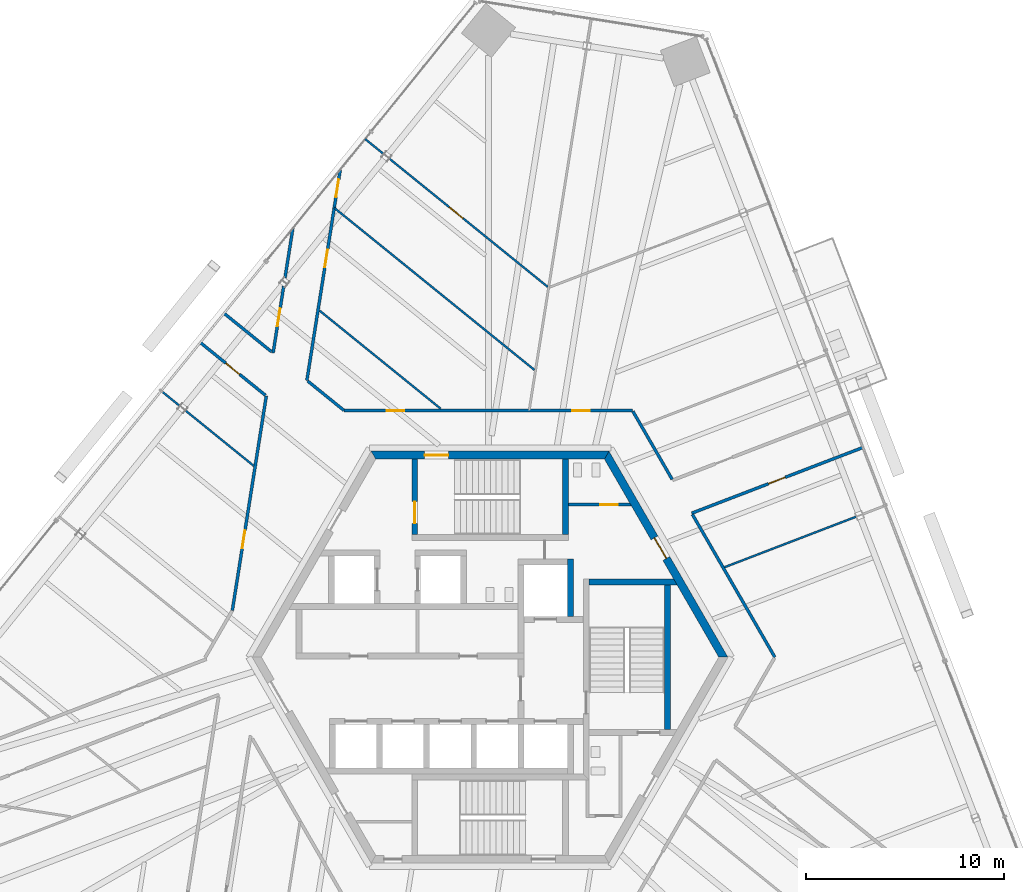
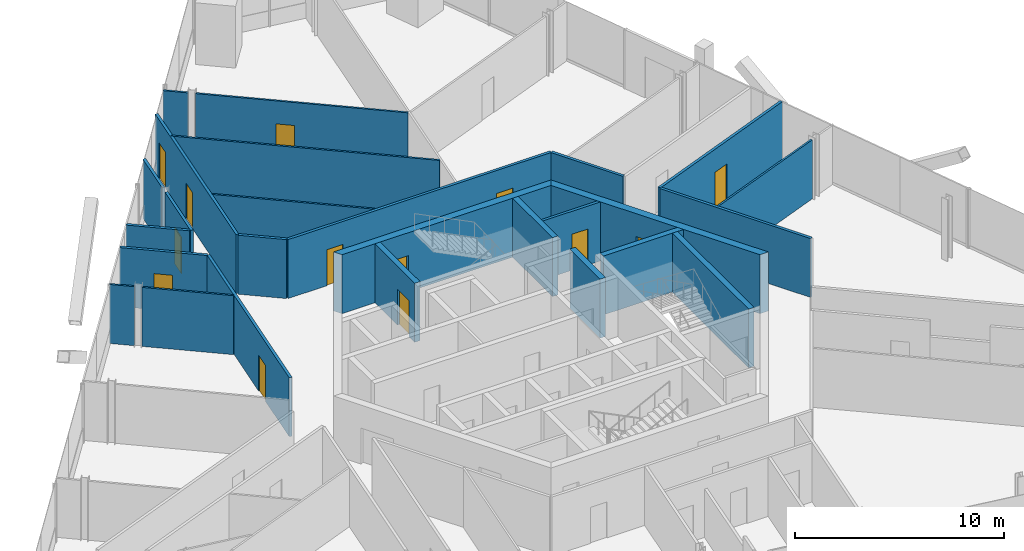
# One storey, part 13 of 18: 26 walls, 13 doors, 13 openings.
"""IFC4 building model written with IfcOpenShell, lengths in metres."""

from ifc_helpers import new_model, si_unit, direction, frame, frame_2d, origin, place, context, subcontext, project, spatial, polyline, rectangle, outline, extrude, source, transform, mapped, material, layer, layer_set, type_object, element, fill, save


model = new_model("IFC4")

# Units and contexts
model_context = context("Model", 3, precision=1e-05, world=origin(), true_north=direction((0.0, 1.0)))
body_context = subcontext(model_context, "Body", "Model", "MODEL_VIEW")
ifc_project = project(units=[si_unit("LENGTHUNIT", "METRE"), si_unit("AREAUNIT", "SQUARE_METRE"), si_unit("VOLUMEUNIT", "CUBIC_METRE"), si_unit("PLANEANGLEUNIT", "RADIAN"), si_unit("MASSUNIT", "GRAM", prefix="KILO")], contexts=[model_context])

# Site, building, storey
site_placement = place(None, origin())
site = spatial("IfcSite", under=ifc_project, at=site_placement, CompositionType="ELEMENT")
building_placement = place(site_placement, origin())
building = spatial("IfcBuilding", under=site, at=building_placement, Name="Triune Harvest Tower", CompositionType="ELEMENT")
storey_placement = place(building_placement, frame((0.0, 0.0, 156.89990234375)))
storey = spatial("IfcBuildingStorey", under=building, at=storey_placement, Name="L40", CompositionType="ELEMENT", Elevation=156.89990234375)

# Walls
ifc_material_1 = material(Name="Gypsum board on steel studs", Category="steel")
ifc_layer_1 = layer(ifc_material_1, 0.14990234375)
ifc_layer_set_1 = layer_set([ifc_layer_1], Name="Gypsum board on steel studs")
wall_type_1 = type_object("IfcWallType", Name="Fire Partition 150 mm", PredefinedType="PARTITIONING", material=ifc_layer_set_1)
wall_1_placement = place(storey_placement, frame((7.20361328125, 12.407470703125, 0.0), z_axis=(0.0, 0.0, 1.0), x_axis=(0.500021028785, -0.866013262469, 0.0)))
element("IfcWall", 1, at=wall_1_placement, inside=storey, type_object=wall_type_1, Name="Partition L40 002", PredefinedType="PARTITIONING", context=body_context, shape_type="SweptSolid", body=[
    extrude(rectangle(XDim=3.963623046875, YDim=0.14990234375, at=frame_2d((1.98193359375, 0.0))), origin(), (0.0, 0.0, 1.0), 3.440185546875),
])
wall_2_placement = place(storey_placement, frame((10.20751953125, 7.205078125, 0.0), z_axis=(0.0, 0.0, 1.0), x_axis=(0.499995954789, -0.866027739276, 0.0)))
element("IfcWall", 2, at=wall_2_placement, inside=storey, type_object=wall_type_1, Name="Partition L40 003", PredefinedType="PARTITIONING", context=body_context, shape_type="SweptSolid", body=[
    extrude(rectangle(XDim=8.3193359375, YDim=0.14990234375, at=frame_2d((4.15966796875, 0.0))), origin(), (0.0, 0.0, 1.0), 3.440185546875),
])

# Wall, opening, door
wall_3_placement = place(storey_placement, frame((-14.6181640625, 15.874755859375, 0.0), z_axis=(0.0, 0.0, 1.0), x_axis=(0.777146809498, -0.629319343805, 0.0)))
wall_3 = element("IfcWall", 3, at=wall_3_placement, inside=storey, type_object=wall_type_1, Name="Partition L40 013", PredefinedType="PARTITIONING", context=body_context, shape_type="SweptSolid", body=[
    extrude(rectangle(XDim=4.23291015625, YDim=0.14990234375, at=frame_2d((2.116455078125, 0.0))), origin(), (0.0, 0.0, 1.0), 3.440185546875),
])
opening_1_placement = place(wall_3_placement, frame((1.650146484375, 0.0, 0.0)))
opening_1 = element("IfcOpeningElement", 4, at=opening_1_placement, cuts=wall_3, Name="Opening L40-010", PredefinedType="OPENING", context=body_context, shape_type="SweptSolid", body=[
    extrude(rectangle(XDim=0.89990234375, YDim=2.10009765625, at=frame_2d((0.449951171875, 1.050048828125))), frame((0.0, 0.0849609375, 0.0), z_axis=(0.0, -1.0, 0.0), x_axis=(1.0, 0.0, 0.0)), (0.0, 0.0, 1.0), 0.169921875),
])
ifc_material_2 = material(Name="Timber and steel door set", Category="steel")
door_type_1 = type_object("IfcDoorType", Name="Single leaf door FD30 right hand 900 x 2100", OperationType="SINGLE_SWING_RIGHT", PredefinedType="DOOR", material=ifc_material_2)
door_1_placement = place(opening_1_placement, origin())
door_1 = element("IfcDoor", 5, at=door_1_placement, inside=storey, type_object=door_type_1, Name="Door L40-010 Meeting Room 40.10", OperationType="SINGLE_SWING_RIGHT", OverallHeight=2.10009765625, OverallWidth=0.89990234375, PredefinedType="DOOR", context=body_context, shape_type="SweptSolid", body=[
    extrude(rectangle(XDim=0.89990234375, YDim=2.10009765625, at=frame_2d((0.449951171875, 1.050048828125))), frame((0.0, 0.02490234375, 0.0), z_axis=(0.0, -1.0, 0.0), x_axis=(1.0, 0.0, 0.0)), (0.0, 0.0, 1.0), 0.050048828125),
])
fill(opening_1, door_1)

# Walls
wall_4_placement = place(storey_placement, frame((-13.422607421875, 17.351318359375, 0.0), z_axis=(0.0, 0.0, 1.0), x_axis=(0.777130257841, -0.629339782905, 0.0)))
element("IfcWall", 6, at=wall_4_placement, inside=storey, type_object=wall_type_1, Name="Partition L40 015", PredefinedType="PARTITIONING", context=body_context, shape_type="SweptSolid", body=[
    extrude(rectangle(XDim=3.075927734375, YDim=0.14990234375, at=frame_2d((1.5380859375, 0.0))), origin(), (0.0, 0.0, 1.0), 3.440185546875),
])
wall_5_placement = place(storey_placement, frame((-9.20263671875, 13.93408203125, 0.0), z_axis=(0.0, 0.0, 1.0), x_axis=(0.777138202627, -0.629329972286, 0.0)))
element("IfcWall", 7, at=wall_5_placement, inside=storey, type_object=wall_type_1, Name="Partition L40 016", PredefinedType="PARTITIONING", context=body_context, shape_type="SweptSolid", body=[
    extrude(rectangle(XDim=2.345458984375, YDim=0.14990234375, at=frame_2d((1.1728515625, 0.0))), origin(), (0.0, 0.0, 1.0), 3.440185546875),
])

# Wall, openings, doors
wall_6_placement = place(storey_placement, frame((-7.3603515625, 12.4423828125, 0.0), z_axis=(0.0, 0.0, 1.0), x_axis=(1.0, 0.0, 0.0)))
wall_6 = element("IfcWall", 8, at=wall_6_placement, inside=storey, type_object=wall_type_1, Name="Partition L40 026", PredefinedType="PARTITIONING", context=body_context, shape_type="SweptSolid", body=[
    extrude(rectangle(XDim=14.5439453125, YDim=0.14990234375, at=frame_2d((7.27197265625, 0.0))), origin(), (0.0, 0.0, 1.0), 3.440185546875),
])
opening_2_placement = place(wall_6_placement, frame((11.493896484375, 0.0, 0.0)))
opening_2 = element("IfcOpeningElement", 9, at=opening_2_placement, cuts=wall_6, Name="Opening L40-005", PredefinedType="OPENING", context=body_context, shape_type="SweptSolid", body=[
    extrude(rectangle(XDim=0.89990234375, YDim=2.10009765625, at=frame_2d((0.449951171875, 1.050048828125))), frame((0.0, 0.0849609375, 0.0), z_axis=(0.0, -1.0, 0.0), x_axis=(1.0, 0.0, 0.0)), (0.0, 0.0, 1.0), 0.169921875),
])
opening_3_placement = place(wall_6_placement, frame((2.135498046875, 0.0, 0.0)))
opening_3 = element("IfcOpeningElement", 10, at=opening_3_placement, cuts=wall_6, Name="Opening L40-012", PredefinedType="OPENING", context=body_context, shape_type="SweptSolid", body=[
    extrude(rectangle(XDim=0.89990234375, YDim=2.10009765625, at=frame_2d((0.449951171875, 1.050048828125))), frame((0.0, 0.0849609375, 0.0), z_axis=(0.0, -1.0, 0.0), x_axis=(1.0, 0.0, 0.0)), (0.0, 0.0, 1.0), 0.169921875),
])
ifc_material_3 = material(Name="Timber and steel door set", Category="steel")
door_type_2 = type_object("IfcDoorType", Name="Single leaf door FD30 left hand 900 x 2100", OperationType="SINGLE_SWING_LEFT", PredefinedType="DOOR", material=ifc_material_3)
door_2_placement = place(opening_3_placement, origin())
door_2 = element("IfcDoor", 11, at=door_2_placement, inside=storey, type_object=door_type_2, Name="Door L40-012 Office 40.12", OperationType="SINGLE_SWING_LEFT", OverallHeight=2.10009765625, OverallWidth=0.89990234375, PredefinedType="DOOR", context=body_context, shape_type="SweptSolid", body=[
    extrude(rectangle(XDim=0.89990234375, YDim=2.10009765625, at=frame_2d((0.449951171875, 1.050048828125))), frame((0.0, 0.02490234375, 0.0), z_axis=(0.0, -1.0, 0.0), x_axis=(1.0, 0.0, 0.0)), (0.0, 0.0, 1.0), 0.050048828125),
])
fill(opening_3, door_2)
door_3_placement = place(opening_2_placement, origin())
door_3 = element("IfcDoor", 12, at=door_3_placement, inside=storey, type_object=door_type_1, Name="Door L40-005 Open Office 40.05", OperationType="SINGLE_SWING_RIGHT", OverallHeight=2.10009765625, OverallWidth=0.89990234375, PredefinedType="DOOR", context=body_context, shape_type="SweptSolid", body=[
    extrude(rectangle(XDim=0.89990234375, YDim=2.10009765625, at=frame_2d((0.449951171875, 1.050048828125))), frame((0.0, 0.02490234375, 0.0), z_axis=(0.0, -1.0, 0.0), x_axis=(1.0, 0.0, 0.0)), (0.0, 0.0, 1.0), 0.050048828125),
])
fill(opening_2, door_3)

# Wall, opening, door
wall_7_placement = place(storey_placement, frame((10.17236328125, 7.265625, 0.0), z_axis=(0.0, 0.0, 1.0), x_axis=(0.933580767762, 0.358367060519, 0.0)))
wall_7 = element("IfcWall", 13, at=wall_7_placement, inside=storey, type_object=wall_type_1, Name="Partition L40 032", PredefinedType="PARTITIONING", context=body_context, shape_type="SweptSolid", body=[
    extrude(rectangle(XDim=9.250244140625, YDim=0.14990234375, at=frame_2d((4.625, 0.0))), origin(), (0.0, 0.0, 1.0), 3.440185546875),
])
opening_4_placement = place(wall_7_placement, frame((4.14990234375, 0.0, 0.0)))
opening_4 = element("IfcOpeningElement", 14, at=opening_4_placement, cuts=wall_7, Name="Opening L40-004", PredefinedType="OPENING", context=body_context, shape_type="SweptSolid", body=[
    extrude(rectangle(XDim=0.89990234375, YDim=2.10009765625, at=frame_2d((0.449951171875, 1.050048828125))), frame((0.0, 0.0849609375, 0.0), z_axis=(0.0, -1.0, 0.0), x_axis=(1.0, 0.0, 0.0)), (0.0, 0.0, 1.0), 0.169921875),
])
door_4_placement = place(opening_4_placement, origin())
door_4 = element("IfcDoor", 15, at=door_4_placement, inside=storey, type_object=door_type_1, Name="Door L40-004 Office 40.04", OperationType="SINGLE_SWING_RIGHT", OverallHeight=2.10009765625, OverallWidth=0.89990234375, PredefinedType="DOOR", context=body_context, shape_type="SweptSolid", body=[
    extrude(rectangle(XDim=0.89990234375, YDim=2.10009765625, at=frame_2d((0.449951171875, 1.050048828125))), frame((0.0, 0.02490234375, 0.0), z_axis=(0.0, -1.0, 0.0), x_axis=(1.0, 0.0, 0.0)), (0.0, 0.0, 1.0), 0.050048828125),
])
fill(opening_4, door_4)

# Wall, openings, doors
wall_8_placement = place(storey_placement, frame((-9.24169921875, 13.9658203125, 0.0), z_axis=(0.0, 0.0, 1.0), x_axis=(0.156437981447, 0.987687783645, 0.0)))
wall_8 = element("IfcWall", 16, at=wall_8_placement, inside=storey, type_object=wall_type_1, Name="Partition L40 053", PredefinedType="PARTITIONING", context=body_context, shape_type="SweptSolid", body=[
    extrude(rectangle(XDim=10.759033203125, YDim=0.14990234375, at=frame_2d((5.37939453125, 0.0))), origin(), (0.0, 0.0, 1.0), 3.440185546875),
])
opening_5_placement = place(wall_8_placement, frame((5.772705078125, 0.0, 0.0)))
opening_5 = element("IfcOpeningElement", 17, at=opening_5_placement, cuts=wall_8, Name="Opening L40-008", PredefinedType="OPENING", context=body_context, shape_type="SweptSolid", body=[
    extrude(rectangle(XDim=0.89990234375, YDim=2.10009765625, at=frame_2d((0.449951171875, 1.050048828125))), frame((0.0, 0.0849609375, 0.0), z_axis=(0.0, -1.0, 0.0), x_axis=(1.0, 0.0, 0.0)), (0.0, 0.0, 1.0), 0.169921875),
])
opening_6_placement = place(wall_8_placement, frame((9.36474609375, 0.0, 0.0)))
opening_6 = element("IfcOpeningElement", 18, at=opening_6_placement, cuts=wall_8, Name="Opening L40-009", PredefinedType="OPENING", context=body_context, shape_type="SweptSolid", body=[
    extrude(rectangle(XDim=0.89990234375, YDim=2.10009765625, at=frame_2d((0.449951171875, 1.050048828125))), frame((0.0, 0.0849609375, 0.0), z_axis=(0.0, -1.0, 0.0), x_axis=(1.0, 0.0, 0.0)), (0.0, 0.0, 1.0), 0.169921875),
])
door_5_placement = place(opening_5_placement, origin())
door_5 = element("IfcDoor", 19, at=door_5_placement, inside=storey, type_object=door_type_2, Name="Door L40-008 Project Room 40.08", OperationType="SINGLE_SWING_LEFT", OverallHeight=2.10009765625, OverallWidth=0.89990234375, PredefinedType="DOOR", context=body_context, shape_type="SweptSolid", body=[
    extrude(rectangle(XDim=0.89990234375, YDim=2.10009765625, at=frame_2d((0.449951171875, 1.050048828125))), frame((0.0, 0.02490234375, 0.0), z_axis=(0.0, -1.0, 0.0), x_axis=(1.0, 0.0, 0.0)), (0.0, 0.0, 1.0), 0.050048828125),
])
fill(opening_5, door_5)
door_6_placement = place(opening_6_placement, origin())
door_6 = element("IfcDoor", 20, at=door_6_placement, inside=storey, type_object=door_type_2, Name="Door L40-009 Phone room 40.09", OperationType="SINGLE_SWING_LEFT", OverallHeight=2.10009765625, OverallWidth=0.89990234375, PredefinedType="DOOR", context=body_context, shape_type="SweptSolid", body=[
    extrude(rectangle(XDim=0.89990234375, YDim=2.10009765625, at=frame_2d((0.449951171875, 1.050048828125))), frame((0.0, 0.02490234375, 0.0), z_axis=(0.0, -1.0, 0.0), x_axis=(1.0, 0.0, 0.0)), (0.0, 0.0, 1.0), 0.050048828125),
])
fill(opening_6, door_6)

# Wall, opening, door
wall_9_placement = place(storey_placement, frame((-13.0029296875, 2.36279296875, 0.0), z_axis=(0.0, 0.0, 1.0), x_axis=(0.156429623445, 0.987689107416, 0.0)))
wall_9 = element("IfcWall", 21, at=wall_9_placement, inside=storey, type_object=wall_type_1, Name="Partition L40 055", PredefinedType="PARTITIONING", context=body_context, shape_type="SweptSolid", body=[
    extrude(rectangle(XDim=10.951416015625, YDim=0.14990234375, at=frame_2d((5.4755859375, 0.0))), origin(), (0.0, 0.0, 1.0), 3.440185546875),
])
opening_7_placement = place(wall_9_placement, frame((3.178466796875, 0.0, 0.0)))
opening_7 = element("IfcOpeningElement", 22, at=opening_7_placement, cuts=wall_9, Name="Opening L40-013", PredefinedType="OPENING", context=body_context, shape_type="SweptSolid", body=[
    extrude(rectangle(XDim=0.89990234375, YDim=2.10009765625, at=frame_2d((0.449951171875, 1.050048828125))), frame((0.0, 0.0849609375, 0.0), z_axis=(0.0, -1.0, 0.0), x_axis=(1.0, 0.0, 0.0)), (0.0, 0.0, 1.0), 0.169921875),
])
door_7_placement = place(opening_7_placement, origin())
door_7 = element("IfcDoor", 23, at=door_7_placement, inside=storey, type_object=door_type_2, Name="Door L40-013 Open Office 40.13", OperationType="SINGLE_SWING_LEFT", OverallHeight=2.10009765625, OverallWidth=0.89990234375, PredefinedType="DOOR", context=body_context, shape_type="SweptSolid", body=[
    extrude(rectangle(XDim=0.89990234375, YDim=2.10009765625, at=frame_2d((0.449951171875, 1.050048828125))), frame((0.0, 0.02490234375, 0.0), z_axis=(0.0, -1.0, 0.0), x_axis=(1.0, 0.0, 0.0)), (0.0, 0.0, 1.0), 0.050048828125),
])
fill(opening_7, door_7)

wall_10_placement = place(storey_placement, frame((-10.946533203125, 15.34619140625, 0.0), z_axis=(0.0, 0.0, 1.0), x_axis=(0.156450237182, 0.987685842404, 0.0)))
wall_10 = element("IfcWall", 24, at=wall_10_placement, inside=storey, type_object=wall_type_1, Name="Partition L40 056", PredefinedType="PARTITIONING", context=body_context, shape_type="SweptSolid", body=[
    extrude(rectangle(XDim=3.4189453125, YDim=0.14990234375, at=frame_2d((1.70947265625, 0.0))), origin(), (0.0, 0.0, 1.0), 3.440185546875),
])
opening_8_placement = place(wall_10_placement, frame((1.373046875, 0.0, 0.0)))
opening_8 = element("IfcOpeningElement", 25, at=opening_8_placement, cuts=wall_10, Name="Opening L40-011", PredefinedType="OPENING", context=body_context, shape_type="SweptSolid", body=[
    extrude(rectangle(XDim=0.89990234375, YDim=2.10009765625, at=frame_2d((0.449951171875, 1.050048828125))), frame((0.0, 0.0849609375, 0.0), z_axis=(0.0, -1.0, 0.0), x_axis=(1.0, 0.0, 0.0)), (0.0, 0.0, 1.0), 0.169921875),
])
door_8_placement = place(opening_8_placement, origin())
door_8 = element("IfcDoor", 26, at=door_8_placement, inside=storey, type_object=door_type_1, Name="Door L40-011 Office 40.11", OperationType="SINGLE_SWING_RIGHT", OverallHeight=2.10009765625, OverallWidth=0.89990234375, PredefinedType="DOOR", context=body_context, shape_type="SweptSolid", body=[
    extrude(rectangle(XDim=0.89990234375, YDim=2.10009765625, at=frame_2d((0.449951171875, 1.050048828125))), frame((0.0, 0.02490234375, 0.0), z_axis=(0.0, -1.0, 0.0), x_axis=(1.0, 0.0, 0.0)), (0.0, 0.0, 1.0), 0.050048828125),
])
fill(opening_8, door_8)

# Walls
wall_11_placement = place(storey_placement, frame((-10.347900390625, 19.126220703125, 0.0), z_axis=(0.0, 0.0, 1.0), x_axis=(0.156489741749, 0.987679584039, 0.0)))
element("IfcWall", 27, at=wall_11_placement, inside=storey, type_object=wall_type_1, Name="Partition L40 057", PredefinedType="PARTITIONING", context=body_context, shape_type="SweptSolid", body=[
    extrude(rectangle(XDim=2.54443359375, YDim=0.14990234375, at=frame_2d((1.272216796875, 0.0))), origin(), (0.0, 0.0, 1.0), 3.440185546875),
])
ifc_material_4 = material(Name="Gypsum board on steel studs", Category="steel")
ifc_layer_2 = layer(ifc_material_4, 0.10009765625)
ifc_layer_set_2 = layer_set([ifc_layer_2], Name="Gypsum board on steel studs")
wall_type_2 = type_object("IfcWallType", Name="Partition 100 mm", PredefinedType="PARTITIONING", material=ifc_layer_set_2)
wall_12_placement = place(storey_placement, frame((-15.3759765625, 12.451171875, 0.0), z_axis=(0.0, 0.0, 1.0), x_axis=(0.777130859539, -0.629339039907, 0.0)))
element("IfcWall", 28, at=wall_12_placement, inside=storey, type_object=wall_type_2, Name="Partition L40 010", PredefinedType="PARTITIONING", context=body_context, shape_type="SweptSolid", body=[
    extrude(rectangle(XDim=4.438720703125, YDim=0.10009765625, at=frame_2d((2.21923828125, 0.0))), origin(), (0.0, 0.0, 1.0), 3.440185546875),
])
wall_13_placement = place(storey_placement, frame((-8.60498046875, 17.4873046875, 0.0), z_axis=(0.0, 0.0, 1.0), x_axis=(0.777142955765, -0.629324102752, 0.0)))
element("IfcWall", 29, at=wall_13_placement, inside=storey, type_object=wall_type_2, Name="Partition L40 018", PredefinedType="PARTITIONING", context=body_context, shape_type="SweptSolid", body=[
    extrude(rectangle(XDim=7.86669921875, YDim=0.10009765625, at=frame_2d((3.933349609375, 0.0))), origin(), (0.0, 0.0, 1.0), 3.440185546875),
])
wall_14_placement = place(storey_placement, frame((-7.862548828125, 22.671875, 0.0), z_axis=(0.0, 0.0, 1.0), x_axis=(0.777146402991, -0.6293198458, 0.0)))
element("IfcWall", 30, at=wall_14_placement, inside=storey, type_object=wall_type_2, Name="Partition L40 019", PredefinedType="PARTITIONING", context=body_context, shape_type="SweptSolid", body=[
    extrude(rectangle(XDim=12.99267578125, YDim=0.10009765625, at=frame_2d((6.496337890625, 0.0))), origin(), (0.0, 0.0, 1.0), 3.440185546875),
])
wall_15_placement = place(storey_placement, frame((11.816650390625, 4.535888671875, 0.0), z_axis=(0.0, 0.0, 1.0), x_axis=(0.933575821264, 0.358379946356, 0.0)))
element("IfcWall", 31, at=wall_15_placement, inside=storey, type_object=wall_type_2, Name="Partition L40 029", PredefinedType="PARTITIONING", context=body_context, shape_type="SweptSolid", body=[
    extrude(rectangle(XDim=7.127685546875, YDim=0.10009765625, at=frame_2d((3.56396484375, 0.0))), origin(), (0.0, 0.0, 1.0), 3.440185546875),
])

# Wall, opening, door
ifc_material_5 = material(Name="Concrete 70 MPa", Category="concrete")
ifc_layer_3 = layer(ifc_material_5, 0.39990234375)
ifc_layer_set_3 = layer_set([ifc_layer_3], Name="Concrete 70 MPa")
wall_type_3 = type_object("IfcWallType", Name="Core wall 400", PredefinedType="SHEAR", material=ifc_layer_set_3)
shared_shape_1 = source(origin(), body_context, "Body", "SweptSolid", [
    extrude(outline(polyline([(-0.115478515625, -0.199951171875), (11.884521484375, -0.199951171875), (11.653564453125, 0.199951171875), (0.115478515625, 0.199951171875), (-0.115478515625, -0.199951171875)])), origin(), (0.0, 0.0, 1.0), 3.440185546875),
])
wall_16_placement = place(storey_placement, frame((11.76904296875, 0.0, 0.0), z_axis=(0.0, 0.0, 1.0), x_axis=(-0.499996592174, 0.866027371285, 0.0)))
wall_16 = element("IfcWall", 32, at=wall_16_placement, inside=storey, type_object=wall_type_3, Name="Hexagon 0 wall", PredefinedType="SHEAR", context=body_context, shape_type="MappedRepresentation", body=[
    mapped(shared_shape_1, transform((0.0, 0.0, 0.0), scale=1.0)),
])
opening_9_placement = place(wall_16_placement, frame((5.75048828125, 0.0, 0.0)))
opening_9 = element("IfcOpeningElement", 33, at=opening_9_placement, cuts=wall_16, Name="Opening CD-WCP", PredefinedType="OPENING", context=body_context, shape_type="SweptSolid", body=[
    extrude(rectangle(XDim=1.199951171875, YDim=2.10009765625, at=frame_2d((0.60009765625, 1.050048828125))), frame((0.0, 0.2099609375, 0.0), z_axis=(0.0, -1.0, 0.0), x_axis=(1.0, 0.0, 0.0)), (0.0, 0.0, 1.0), 0.419921875),
])
ifc_material_6 = material(Name="Steel S235", Category="steel")
door_type_3 = type_object("IfcDoorType", Name="Lobby door 1200 FD120", OperationType="SINGLE_SWING_LEFT", PredefinedType="DOOR", material=ifc_material_6)
door_9_placement = place(opening_9_placement, frame((1.199951171875, 0.0, 0.0), z_axis=(0.0, 0.0, 1.0), x_axis=(-1.0, 0.0, 0.0)))
door_9 = element("IfcDoor", 34, at=door_9_placement, inside=storey, type_object=door_type_3, Name="Door CD-WCP", OperationType="SINGLE_SWING_RIGHT", OverallHeight=2.10009765625, OverallWidth=1.199951171875, PredefinedType="DOOR", context=body_context, shape_type="SweptSolid", body=[
    extrude(rectangle(XDim=1.199951171875, YDim=2.10009765625, at=frame_2d((0.60009765625, 1.050048828125))), frame((0.0, 0.02490234375, 0.0), z_axis=(0.0, -1.0, 0.0), x_axis=(1.0, 0.0, 0.0)), (0.0, 0.0, 1.0), 0.050048828125),
])
fill(opening_9, door_9)

wall_17_placement = place(storey_placement, frame((5.884521484375, 10.1923828125, 0.0), z_axis=(0.0, 0.0, 1.0), x_axis=(-1.0, 0.0, 0.0)))
wall_17 = element("IfcWall", 35, at=wall_17_placement, inside=storey, type_object=wall_type_3, Name="Hexagon 1 wall", PredefinedType="SHEAR", context=body_context, shape_type="MappedRepresentation", body=[
    mapped(shared_shape_1, transform((0.0, 0.0, 0.0), scale=1.0)),
])
opening_10_placement = place(wall_17_placement, frame((7.984619140625, 0.0, 0.0)))
opening_10 = element("IfcOpeningElement", 36, at=opening_10_placement, cuts=wall_17, Name="Opening CD-S1P", PredefinedType="OPENING", context=body_context, shape_type="SweptSolid", body=[
    extrude(rectangle(XDim=1.199951171875, YDim=2.10009765625, at=frame_2d((0.60009765625, 1.050048828125))), frame((0.0, 0.2099609375, 0.0), z_axis=(0.0, -1.0, 0.0), x_axis=(1.0, 0.0, 0.0)), (0.0, 0.0, 1.0), 0.419921875),
])
ifc_material_7 = material(Name="Steel S235", Category="steel")
door_type_4 = type_object("IfcDoorType", Name="Stair door 1200 FD120", OperationType="SINGLE_SWING_LEFT", PredefinedType="DOOR", material=ifc_material_7)
door_10_placement = place(opening_10_placement, frame((1.199951171875, 0.0, 0.0), z_axis=(0.0, 0.0, 1.0), x_axis=(-1.0, 0.0, 0.0)))
door_10 = element("IfcDoor", 37, at=door_10_placement, inside=storey, type_object=door_type_4, Name="Door CD-S1P", OperationType="SINGLE_SWING_RIGHT", OverallHeight=2.10009765625, OverallWidth=1.199951171875, PredefinedType="DOOR", context=body_context, shape_type="SweptSolid", body=[
    extrude(rectangle(XDim=1.199951171875, YDim=2.10009765625, at=frame_2d((0.60009765625, 1.050048828125))), frame((0.0, 0.02490234375, 0.0), z_axis=(0.0, -1.0, 0.0), x_axis=(1.0, 0.0, 0.0)), (0.0, 0.0, 1.0), 0.050048828125),
])
fill(opening_10, door_10)

# Walls
ifc_material_8 = material(Name="Concrete 70 MPa", Category="concrete")
ifc_layer_4 = layer(ifc_material_8, 0.300048828125)
ifc_layer_set_4 = layer_set([ifc_layer_4], Name="Concrete 70 MPa")
wall_type_4 = type_object("IfcWallType", Name="Core wall 300", PredefinedType="SHEAR", material=ifc_layer_set_4)
shared_shape_2 = source(origin(), body_context, "Body", "SweptSolid", [
    extrude(rectangle(XDim=2.89990234375, YDim=0.300048828125, at=frame_2d((1.449951171875, 0.0))), origin(), (0.0, 0.0, 1.0), 3.440185546875),
])
wall_18_placement = place(storey_placement, frame((4.050048828125, 2.06005859375, 0.0), z_axis=(0.0, 0.0, 1.0), x_axis=(0.0, 1.0, 0.0)))
element("IfcWall", 38, at=wall_18_placement, inside=storey, type_object=wall_type_4, Name="Ff1 east wall", PredefinedType="SHEAR", context=body_context, shape_type="MappedRepresentation", body=[
    mapped(shared_shape_2, transform((0.0, 0.0, 0.0), scale=1.0)),
])
shared_shape_3 = source(origin(), body_context, "Body", "SweptSolid", [
    extrude(outline(polyline([(0.0, -0.14990234375), (0.0, 0.14990234375), (4.260009765625, 0.14990234375), (4.43310546875, -0.14990234375), (0.0, -0.14990234375)])), origin(), (0.0, 0.0, 1.0), 3.440185546875),
])
wall_19_placement = place(storey_placement, frame((5.0, 3.800048828125, 0.0), z_axis=(0.0, 0.0, 1.0), x_axis=(1.0, 0.0, 0.0)))
element("IfcWall", 39, at=wall_19_placement, inside=storey, type_object=wall_type_4, Name="Stair e north wall", PredefinedType="SHEAR", context=body_context, shape_type="MappedRepresentation", body=[
    mapped(shared_shape_3, transform((0.0, 0.0, 0.0), scale=1.0)),
])
shared_shape_4 = source(origin(), body_context, "Body", "SweptSolid", [
    extrude(rectangle(XDim=7.2998046875, YDim=0.300048828125, at=frame_2d((3.64990234375, 0.0))), origin(), (0.0, 0.0, 1.0), 3.440185546875),
])
wall_20_placement = place(storey_placement, frame((8.949951171875, -3.64990234375, 0.0), z_axis=(0.0, 0.0, 1.0), x_axis=(0.0, 1.0, 0.0)))
element("IfcWall", 40, at=wall_20_placement, inside=storey, type_object=wall_type_4, Name="Stair e east wall", PredefinedType="SHEAR", context=body_context, shape_type="MappedRepresentation", body=[
    mapped(shared_shape_4, transform((0.0, 0.0, 0.0), scale=1.0)),
])

# Wall, opening, door
shared_shape_5 = source(origin(), body_context, "Body", "SweptSolid", [
    extrude(outline(polyline([(0.0, -0.14990234375), (0.0, 0.14990234375), (3.80419921875, 0.14990234375), (3.80419921875, -0.14990234375), (0.0, -0.14990234375)])), origin(), (0.0, 0.0, 1.0), 3.440185546875),
])
wall_21_placement = place(storey_placement, frame((-3.800048828125, 6.18994140625, 0.0), z_axis=(0.0, 0.0, 1.0), x_axis=(0.0, 1.0, 0.0)))
wall_21 = element("IfcWall", 41, at=wall_21_placement, inside=storey, type_object=wall_type_4, Name="Stair n west wall", PredefinedType="SHEAR", context=body_context, shape_type="MappedRepresentation", body=[
    mapped(shared_shape_5, transform((0.0, 0.0, 0.0), scale=1.0)),
])
opening_11_placement = place(wall_21_placement, frame((0.56005859375, 0.0, 0.0)))
opening_11 = element("IfcOpeningElement", 42, at=opening_11_placement, cuts=wall_21, Name="Opening CD-S1L", PredefinedType="OPENING", context=body_context, shape_type="SweptSolid", body=[
    extrude(rectangle(XDim=1.10009765625, YDim=2.10009765625, at=frame_2d((0.550048828125, 1.050048828125))), frame((0.0, 0.16015625, 0.0), z_axis=(0.0, -1.0, 0.0), x_axis=(1.0, 0.0, 0.0)), (0.0, 0.0, 1.0), 0.320068359375),
])
ifc_material_9 = material(Name="Steel S235", Category="steel")
door_type_5 = type_object("IfcDoorType", Name="Stair door 1100 FD120", OperationType="SINGLE_SWING_LEFT", PredefinedType="DOOR", material=ifc_material_9)
door_11_placement = place(opening_11_placement, frame((1.10009765625, 0.0, 0.0), z_axis=(0.0, 0.0, 1.0), x_axis=(-1.0, 0.0, 0.0)))
door_11 = element("IfcDoor", 43, at=door_11_placement, inside=storey, type_object=door_type_5, Name="Door CD-S1L", OperationType="SINGLE_SWING_RIGHT", OverallHeight=2.10009765625, OverallWidth=1.10009765625, PredefinedType="DOOR", context=body_context, shape_type="SweptSolid", body=[
    extrude(rectangle(XDim=1.10009765625, YDim=2.10009765625, at=frame_2d((0.550048828125, 1.050048828125))), frame((0.0, 0.02490234375, 0.0), z_axis=(0.0, -1.0, 0.0), x_axis=(1.0, 0.0, 0.0)), (0.0, 0.0, 1.0), 0.050048828125),
])
fill(opening_11, door_11)

# Wall
wall_22_placement = place(storey_placement, frame((3.800048828125, 6.18994140625, 0.0), z_axis=(0.0, 0.0, 1.0), x_axis=(0.0, 1.0, 0.0)))
element("IfcWall", 44, at=wall_22_placement, inside=storey, type_object=wall_type_4, Name="Stair n east wall", PredefinedType="SHEAR", context=body_context, shape_type="MappedRepresentation", body=[
    mapped(shared_shape_5, transform((0.0, 0.0, 0.0), scale=1.0)),
])

# Wall, opening, door
ifc_material_10 = material(Name="Concrete masonry unit", Category="masonry")
ifc_layer_5 = layer(ifc_material_10, 0.14990234375)
ifc_layer_set_5 = layer_set([ifc_layer_5], Name="Concrete masonry unit")
wall_type_5 = type_object("IfcWallType", Name="Block partition 150 unrated", PredefinedType="PARTITIONING", material=ifc_layer_set_5)
shared_shape_6 = source(origin(), body_context, "Body", "SweptSolid", [
    extrude(outline(polyline([(0.0, -0.074951171875), (0.0, 0.074951171875), (3.1015625, 0.074951171875), (3.18798828125, -0.074951171875), (0.0, -0.074951171875)])), origin(), (0.0, 0.0, 1.0), 3.440185546875),
])
wall_23_placement = place(storey_placement, frame((3.949951171875, 7.699951171875, 0.0), z_axis=(0.0, 0.0, 1.0), x_axis=(1.0, 0.0, 0.0)))
wall_23 = element("IfcWall", 45, at=wall_23_placement, inside=storey, type_object=wall_type_5, Name="Wc women south wall", PredefinedType="PARTITIONING", context=body_context, shape_type="MappedRepresentation", body=[
    mapped(shared_shape_6, transform((0.0, 0.0, 0.0), scale=1.0)),
])
opening_12_placement = place(wall_23_placement, frame((1.60009765625, 0.0, 0.0)))
opening_12 = element("IfcOpeningElement", 46, at=opening_12_placement, cuts=wall_23, Name="Opening CD-WW", PredefinedType="OPENING", context=body_context, shape_type="SweptSolid", body=[
    extrude(rectangle(XDim=0.89990234375, YDim=2.10009765625, at=frame_2d((0.449951171875, 1.050048828125))), frame((0.0, 0.0849609375, 0.0), z_axis=(0.0, -1.0, 0.0), x_axis=(1.0, 0.0, 0.0)), (0.0, 0.0, 1.0), 0.169921875),
])
ifc_material_11 = material(Name="Timber C24", Category="wood")
door_type_6 = type_object("IfcDoorType", Name="WC door 900", OperationType="SINGLE_SWING_LEFT", PredefinedType="DOOR", material=ifc_material_11)
door_12_placement = place(opening_12_placement, origin())
door_12 = element("IfcDoor", 47, at=door_12_placement, inside=storey, type_object=door_type_6, Name="Door CD-WW", OperationType="SINGLE_SWING_LEFT", OverallHeight=2.10009765625, OverallWidth=0.89990234375, PredefinedType="DOOR", context=body_context, shape_type="SweptSolid", body=[
    extrude(rectangle(XDim=0.89990234375, YDim=2.10009765625, at=frame_2d((0.449951171875, 1.050048828125))), frame((0.0, 0.02490234375, 0.0), z_axis=(0.0, -1.0, 0.0), x_axis=(1.0, 0.0, 0.0)), (0.0, 0.0, 1.0), 0.050048828125),
])
fill(opening_12, door_12)

# Walls
shared_shape_7 = source(origin(), body_context, "Body", "SweptSolid", [
    extrude(rectangle(XDim=1.212158203125, YDim=0.10009765625, at=frame_2d((0.60595703125, 0.0))), origin(), (0.0, 0.0, 1.0), 3.440185546875),
])
wall_24_placement = place(storey_placement, frame((-6.30322265625, 26.142578125, 0.0), z_axis=(0.0, 0.0, 1.0), x_axis=(0.777240180322, -0.629204022629, 0.0)))
element("IfcWall", 48, at=wall_24_placement, inside=storey, type_object=wall_type_2, Name="Partition L40 020", PredefinedType="PARTITIONING", context=body_context, shape_type="MappedRepresentation", body=[
    mapped(shared_shape_7, transform((0.0, 0.0, 0.0), scale=1.0)),
])
shared_shape_8 = source(origin(), body_context, "Body", "SweptSolid", [
    extrude(rectangle(XDim=1.2119140625, YDim=0.10009765625, at=frame_2d((0.60595703125, 0.0))), origin(), (0.0, 0.0, 1.0), 3.440185546875),
])
wall_25_placement = place(storey_placement, frame((-16.592529296875, 13.436279296875, 0.0), z_axis=(0.0, 0.0, 1.0), x_axis=(0.777160423943, -0.629302530948, 0.0)))
element("IfcWall", 49, at=wall_25_placement, inside=storey, type_object=wall_type_2, Name="Partition L40 009", PredefinedType="PARTITIONING", context=body_context, shape_type="MappedRepresentation", body=[
    mapped(shared_shape_8, transform((0.0, 0.0, 0.0), scale=1.0)),
])

# Wall, opening, door
shared_shape_9 = source(origin(), body_context, "Body", "SweptSolid", [
    extrude(rectangle(XDim=10.285400390625, YDim=0.10009765625, at=frame_2d((5.142578125, 0.0))), origin(), (0.0, 0.0, 1.0), 3.440185546875),
])
wall_26_placement = place(storey_placement, frame((-5.086669921875, 25.157470703125, 0.0), z_axis=(0.0, 0.0, 1.0), x_axis=(0.777159184222, -0.629304061944, 0.0)))
wall_26 = element("IfcWall", 50, at=wall_26_placement, inside=storey, type_object=wall_type_2, Name="Partition L40 021", PredefinedType="PARTITIONING", context=body_context, shape_type="MappedRepresentation", body=[
    mapped(shared_shape_9, transform((0.0, 0.0, 0.0), scale=1.0)),
])
opening_13_placement = place(wall_26_placement, frame((3.8955078125, 0.0, 0.0)))
opening_13 = element("IfcOpeningElement", 51, at=opening_13_placement, cuts=wall_26, Name="Opening L40-007", PredefinedType="OPENING", context=body_context, shape_type="SweptSolid", body=[
    extrude(rectangle(XDim=0.89990234375, YDim=2.10009765625, at=frame_2d((0.449951171875, 1.050048828125))), frame((0.0, 0.06005859375, 0.0), z_axis=(0.0, -1.0, 0.0), x_axis=(1.0, 0.0, 0.0)), (0.0, 0.0, 1.0), 0.1201171875),
])
ifc_material_12 = material(Name="Timber and steel door set", Category="steel")
door_type_7 = type_object("IfcDoorType", Name="Single leaf door left hand 900 x 2100", OperationType="SINGLE_SWING_LEFT", PredefinedType="DOOR", material=ifc_material_12)
door_13_placement = place(opening_13_placement, origin())
door_13 = element("IfcDoor", 52, at=door_13_placement, inside=storey, type_object=door_type_7, Name="Door L40-007 Project Room 40.07", OperationType="SINGLE_SWING_LEFT", OverallHeight=2.10009765625, OverallWidth=0.89990234375, PredefinedType="DOOR", context=body_context, shape_type="SweptSolid", body=[
    extrude(rectangle(XDim=0.89990234375, YDim=2.10009765625, at=frame_2d((0.449951171875, 1.050048828125))), frame((0.0, 0.02490234375, 0.0), z_axis=(0.0, -1.0, 0.0), x_axis=(1.0, 0.0, 0.0)), (0.0, 0.0, 1.0), 0.050048828125),
])
fill(opening_13, door_13)

save(model, "model.ifc")
